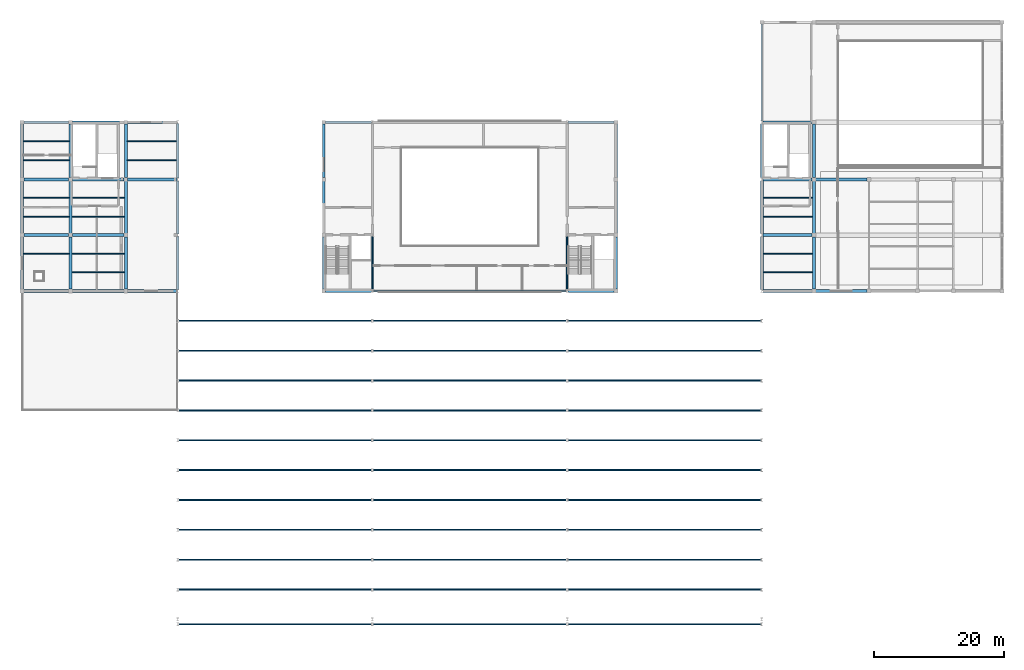
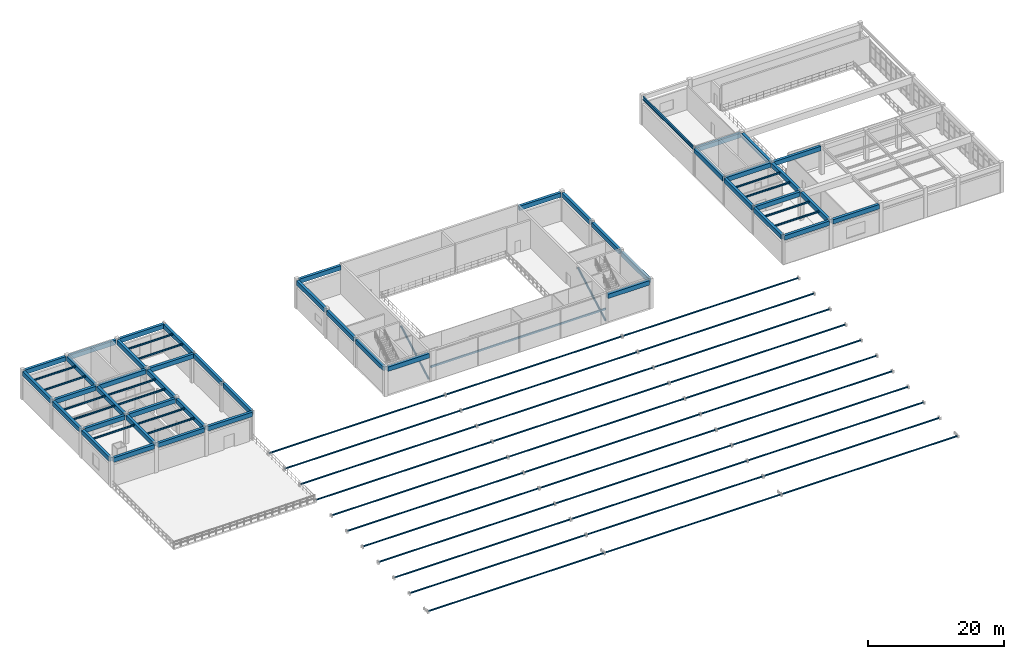
# One storey, part 10 of 38: 61 beams, 36 members.
"""IFC4 building model written with IfcOpenShell, lengths in metres."""

from ifc_helpers import new_model, si_unit, direction, frame, origin, origin_2d, place, context, subcontext, project, spatial, rectangle, hollow_rectangle, hollow_circle, i_section, extrude, material, material_profile, profile_set, type_object, element, save


model = new_model("IFC4")

# Units and contexts
model_context = context("Model", 3, precision=1e-05, world=origin(), true_north=direction((0.0, 1.0)))
body_context = subcontext(model_context, "Body", "Model", "MODEL_VIEW")
ifc_project = project(units=[si_unit("LENGTHUNIT", "METRE"), si_unit("AREAUNIT", "SQUARE_METRE"), si_unit("VOLUMEUNIT", "CUBIC_METRE"), si_unit("PLANEANGLEUNIT", "RADIAN"), si_unit("MASSUNIT", "GRAM", prefix="KILO")], contexts=[model_context])

# Site, building, storey
site_placement = place(None, origin())
site = spatial("IfcSite", under=ifc_project, at=site_placement, CompositionType="ELEMENT")
building_placement = place(site_placement, origin())
building = spatial("IfcBuilding", under=site, at=building_placement, Name="Muzn Square Opera House", CompositionType="ELEMENT")
storey_placement = place(building_placement, frame((0.0, 0.0, 18.0)))
storey = spatial("IfcBuildingStorey", under=building, at=storey_placement, Name="L04", CompositionType="ELEMENT", Elevation=18.0)

# Members
ifc_material_1 = material(Name="Steel S355", Category="steel")
ifc_material_profile_1 = material_profile(ifc_material_1, hollow_circle(Radius=0.161865234375, WallThickness=0.01611328125, at=origin_2d()), Name="CHS 323.9x16", Category="steel")
ifc_profile_set_1 = profile_set([ifc_material_profile_1], Name="Steel S355")
member_type_1 = type_object("IfcMemberType", Name="Fly Tower Strut CHS324", PredefinedType="STRUT", material=ifc_profile_set_1)
for number, where, z_axis, x_axis, name in (
    (1, (73.0, 72.820068359375, 0.199951171875), (0.0, 0.871112274482, 0.49108390856), (-1.0, 0.0, 0.0), "Lateral Frame Brace SBRC-01"),
    (2, (103.0, 72.820068359375, 0.199951171875), (0.0, 0.871112274482, 0.49108390856), (-1.0, 0.0, 0.0), "Lateral Frame Brace SBRC-02"),
):
    element("IfcMember", number, at=place(storey_placement, frame(where, z_axis=z_axis, x_axis=x_axis)), inside=storey, type_object=member_type_1, Name=name, PredefinedType="STRUT", context=body_context, shape_type="SweptSolid", body=[
        extrude(hollow_circle(Radius=0.161865234375, WallThickness=0.01611328125, at=origin_2d()), origin(), (0.0, 0.0, 1.0), 9.3671875),
    ])
ifc_material_profile_2 = material_profile(ifc_material_1, hollow_rectangle(XDim=0.199951171875, YDim=0.300048828125, WallThickness=0.012451171875, at=origin_2d()), Name="RHS 300x200x12.5", Category="steel")
ifc_profile_set_2 = profile_set([ifc_material_profile_2], Name="Steel S355")
member_type_2 = type_object("IfcMemberType", Name="Hollow Truss Chord RHS300x200", PredefinedType="CHORD", material=ifc_profile_set_2)
member_placement = place(storey_placement, frame((73.139892578125, 72.60009765625, 2.5), z_axis=(1.0, 0.0, 0.0), x_axis=(0.0, 1.0, 0.0)))
element("IfcMember", 3, at=member_placement, inside=storey, type_object=member_type_2, Name="Proscenium Acoustic Frame Chord PRCH-02", PredefinedType="CHORD", context=body_context, shape_type="SweptSolid", body=[
    extrude(hollow_rectangle(XDim=0.199951171875, YDim=0.300048828125, WallThickness=0.012451171875, at=origin_2d()), origin(), (0.0, 0.0, 1.0), 29.72021484375),
])

# Beams
ifc_material_2 = material(Name="Concrete C40/50", Category="concrete")
ifc_material_profile_3 = material_profile(ifc_material_2, rectangle(XDim=0.449951171875, YDim=0.800048828125, at=origin_2d()), Name="RCB 450x800", Category="concrete")
ifc_profile_set_3 = profile_set([ifc_material_profile_3], Name="Concrete C40/50")
beam_type_1 = type_object("IfcBeamType", Name="Primary Girder 450x800", PredefinedType="BEAM", material=ifc_profile_set_3)
beam_1_placement = place(storey_placement, frame((19.2919921875, 72.60009765625, 4.719970703125), z_axis=(1.0, 0.0, 0.0), x_axis=(0.0, 1.0, 0.0)))
element("IfcBeam", 4, at=beam_1_placement, inside=storey, type_object=beam_type_1, Name="Primary Girder BM-L04-BM-PG800-193_726_262_726-2664", PredefinedType="BEAM", context=body_context, shape_type="SweptSolid", body=[
    extrude(rectangle(XDim=0.449951171875, YDim=0.800048828125, at=origin_2d()), origin(), (0.0, 0.0, 1.0), 6.916015625),
])
beam_2_placement = place(storey_placement, frame((26.7919921875, 72.60009765625, 4.719970703125), z_axis=(1.0, 0.0, 0.0), x_axis=(0.0, 1.0, 0.0)))
element("IfcBeam", 5, at=beam_2_placement, inside=storey, type_object=beam_type_1, Name="Primary Girder BM-L04-BM-PG800-268_726_347_726-2665", PredefinedType="BEAM", context=body_context, shape_type="SweptSolid", body=[
    extrude(rectangle(XDim=0.449951171875, YDim=0.800048828125, at=origin_2d()), origin(), (0.0, 0.0, 1.0), 7.916015625),
])
beam_3_placement = place(storey_placement, frame((35.2919921875, 72.60009765625, 4.719970703125), z_axis=(1.0, 0.0, 0.0), x_axis=(0.0, 1.0, 0.0)))
element("IfcBeam", 6, at=beam_3_placement, inside=storey, type_object=beam_type_1, Name="Primary Girder BM-L04-BM-PG800-353_726_429_726-2666", PredefinedType="BEAM", context=body_context, shape_type="SweptSolid", body=[
    extrude(rectangle(XDim=0.449951171875, YDim=0.800048828125, at=origin_2d()), origin(), (0.0, 0.0, 1.0), 7.56591796875),
])
for number, where, z_axis, x_axis, name in (
    (7, (65.7919921875, 72.60009765625, 4.719970703125), (1.0, 0.0, 0.0), (0.0, 1.0, 0.0), "Primary Girder BM-L04-BM-PG800-658_726_729_726-2667"),
    (8, (103.14208984375, 72.60009765625, 4.719970703125), (1.0, 0.0, 0.0), (0.0, 1.0, 0.0), "Primary Girder BM-L04-BM-PG800-1031_726_1102_726-2668"),
):
    element("IfcBeam", number, at=place(storey_placement, frame(where, z_axis=z_axis, x_axis=x_axis)), inside=storey, type_object=beam_type_1, Name=name, PredefinedType="BEAM", context=body_context, shape_type="SweptSolid", body=[
        extrude(rectangle(XDim=0.449951171875, YDim=0.800048828125, at=origin_2d()), origin(), (0.0, 0.0, 1.0), 7.06591796875),
    ])
beam_4_placement = place(storey_placement, frame((133.14208984375, 72.60009765625, 4.719970703125), z_axis=(1.0, 0.0, 0.0), x_axis=(0.0, 1.0, 0.0)))
element("IfcBeam", 9, at=beam_4_placement, inside=storey, type_object=beam_type_1, Name="Primary Girder BM-L04-BM-PG800-1331_726_1407_726-2669", PredefinedType="BEAM", context=body_context, shape_type="SweptSolid", body=[
    extrude(rectangle(XDim=0.449951171875, YDim=0.800048828125, at=origin_2d()), origin(), (0.0, 0.0, 1.0), 7.56591796875),
])
beam_5_placement = place(storey_placement, frame((141.2919921875, 72.60009765625, 4.719970703125), z_axis=(1.0, 0.0, 0.0), x_axis=(0.0, 1.0, 0.0)))
element("IfcBeam", 10, at=beam_5_placement, inside=storey, type_object=beam_type_1, Name="Primary Girder BM-L04-BM-PG800-1413_726_1492_726-2670", PredefinedType="BEAM", context=body_context, shape_type="SweptSolid", body=[
    extrude(rectangle(XDim=0.449951171875, YDim=0.800048828125, at=origin_2d()), origin(), (0.0, 0.0, 1.0), 7.916015625),
])
beam_6_placement = place(storey_placement, frame((19.2919921875, 81.199951171875, 4.75), z_axis=(1.0, 0.0, 0.0), x_axis=(0.0, 1.0, 0.0)))
element("IfcBeam", 11, at=beam_6_placement, inside=storey, type_object=beam_type_1, Name="Primary Girder BM-L04-BM-PG800-193_812_262_812-2674", PredefinedType="BEAM", context=body_context, shape_type="SweptSolid", body=[
    extrude(rectangle(XDim=0.449951171875, YDim=0.800048828125, at=origin_2d()), origin(), (0.0, 0.0, 1.0), 6.916015625),
])
beam_7_placement = place(storey_placement, frame((26.7919921875, 81.199951171875, 4.75), z_axis=(1.0, 0.0, 0.0), x_axis=(0.0, 1.0, 0.0)))
element("IfcBeam", 12, at=beam_7_placement, inside=storey, type_object=beam_type_1, Name="Primary Girder BM-L04-BM-PG800-268_812_347_812-2675", PredefinedType="BEAM", context=body_context, shape_type="SweptSolid", body=[
    extrude(rectangle(XDim=0.449951171875, YDim=0.800048828125, at=origin_2d()), origin(), (0.0, 0.0, 1.0), 7.916015625),
])
beam_8_placement = place(storey_placement, frame((133.14208984375, 81.199951171875, 4.719970703125), z_axis=(1.0, 0.0, 0.0), x_axis=(0.0, 1.0, 0.0)))
element("IfcBeam", 13, at=beam_8_placement, inside=storey, type_object=beam_type_1, Name="Primary Girder BM-L04-BM-PG800-1331_812_1407_812-2677", PredefinedType="BEAM", context=body_context, shape_type="SweptSolid", body=[
    extrude(rectangle(XDim=0.449951171875, YDim=0.800048828125, at=origin_2d()), origin(), (0.0, 0.0, 1.0), 7.56591796875),
])
beam_9_placement = place(storey_placement, frame((19.2919921875, 89.800048828125, 4.75), z_axis=(1.0, 0.0, 0.0), x_axis=(0.0, 1.0, 0.0)))
element("IfcBeam", 14, at=beam_9_placement, inside=storey, type_object=beam_type_1, Name="Primary Girder BM-L04-BM-PG800-193_898_262_898-2679", PredefinedType="BEAM", context=body_context, shape_type="SweptSolid", body=[
    extrude(rectangle(XDim=0.449951171875, YDim=0.800048828125, at=origin_2d()), origin(), (0.0, 0.0, 1.0), 6.916015625),
])
beam_10_placement = place(storey_placement, frame((26.7919921875, 89.800048828125, 4.75), z_axis=(1.0, 0.0, 0.0), x_axis=(0.0, 1.0, 0.0)))
element("IfcBeam", 15, at=beam_10_placement, inside=storey, type_object=beam_type_1, Name="Primary Girder BM-L04-BM-PG800-268_898_347_898-2680", PredefinedType="BEAM", context=body_context, shape_type="SweptSolid", body=[
    extrude(rectangle(XDim=0.449951171875, YDim=0.800048828125, at=origin_2d()), origin(), (0.0, 0.0, 1.0), 7.916015625),
])
for number, where, z_axis, x_axis, name in (
    (16, (35.2919921875, 89.800048828125, 4.75), (1.0, 0.0, 0.0), (0.0, 1.0, 0.0), "Primary Girder BM-L04-BM-PG800-353_898_429_898-2681"),
    (17, (133.14208984375, 89.800048828125, 4.719970703125), (1.0, 0.0, 0.0), (0.0, 1.0, 0.0), "Primary Girder BM-L04-BM-PG800-1331_898_1407_898-2682"),
):
    element("IfcBeam", number, at=place(storey_placement, frame(where, z_axis=z_axis, x_axis=x_axis)), inside=storey, type_object=beam_type_1, Name=name, PredefinedType="BEAM", context=body_context, shape_type="SweptSolid", body=[
        extrude(rectangle(XDim=0.449951171875, YDim=0.800048828125, at=origin_2d()), origin(), (0.0, 0.0, 1.0), 7.56591796875),
    ])
beam_11_placement = place(storey_placement, frame((141.2919921875, 89.800048828125, 4.719970703125), z_axis=(1.0, 0.0, 0.0), x_axis=(0.0, 1.0, 0.0)))
element("IfcBeam", 18, at=beam_11_placement, inside=storey, type_object=beam_type_1, Name="Primary Girder BM-L04-BM-PG800-1413_898_1492_898-2683", PredefinedType="BEAM", context=body_context, shape_type="SweptSolid", body=[
    extrude(rectangle(XDim=0.449951171875, YDim=0.800048828125, at=origin_2d()), origin(), (0.0, 0.0, 1.0), 7.916015625),
])
beam_12_placement = place(storey_placement, frame((19.2919921875, 98.60009765625, 4.719970703125), z_axis=(1.0, 0.0, 0.0), x_axis=(0.0, 1.0, 0.0)))
element("IfcBeam", 19, at=beam_12_placement, inside=storey, type_object=beam_type_1, Name="Primary Girder BM-L04-BM-PG800-193_986_262_986-2687", PredefinedType="BEAM", context=body_context, shape_type="SweptSolid", body=[
    extrude(rectangle(XDim=0.449951171875, YDim=0.800048828125, at=origin_2d()), origin(), (0.0, 0.0, 1.0), 6.916015625),
])
beam_13_placement = place(storey_placement, frame((26.7919921875, 98.60009765625, 4.719970703125), z_axis=(1.0, 0.0, 0.0), x_axis=(0.0, 1.0, 0.0)))
element("IfcBeam", 20, at=beam_13_placement, inside=storey, type_object=beam_type_1, Name="Primary Girder BM-L04-BM-PG800-268_986_347_986-2688", PredefinedType="BEAM", context=body_context, shape_type="SweptSolid", body=[
    extrude(rectangle(XDim=0.449951171875, YDim=0.800048828125, at=origin_2d()), origin(), (0.0, 0.0, 1.0), 7.916015625),
])
beam_14_placement = place(storey_placement, frame((35.2919921875, 98.60009765625, 4.719970703125), z_axis=(1.0, 0.0, 0.0), x_axis=(0.0, 1.0, 0.0)))
element("IfcBeam", 21, at=beam_14_placement, inside=storey, type_object=beam_type_1, Name="Primary Girder BM-L04-BM-PG800-353_986_429_986-2689", PredefinedType="BEAM", context=body_context, shape_type="SweptSolid", body=[
    extrude(rectangle(XDim=0.449951171875, YDim=0.800048828125, at=origin_2d()), origin(), (0.0, 0.0, 1.0), 7.56591796875),
])
for number, where, z_axis, x_axis, name in (
    (22, (65.7919921875, 98.60009765625, 4.719970703125), (1.0, 0.0, 0.0), (0.0, 1.0, 0.0), "Primary Girder BM-L04-BM-PG800-658_986_729_986-2690"),
    (23, (103.14208984375, 98.60009765625, 4.719970703125), (1.0, 0.0, 0.0), (0.0, 1.0, 0.0), "Primary Girder BM-L04-BM-PG800-1031_986_1102_986-2691"),
):
    element("IfcBeam", number, at=place(storey_placement, frame(where, z_axis=z_axis, x_axis=x_axis)), inside=storey, type_object=beam_type_1, Name=name, PredefinedType="BEAM", context=body_context, shape_type="SweptSolid", body=[
        extrude(rectangle(XDim=0.449951171875, YDim=0.800048828125, at=origin_2d()), origin(), (0.0, 0.0, 1.0), 7.06591796875),
    ])
beam_15_placement = place(storey_placement, frame((133.14208984375, 98.60009765625, 4.719970703125), z_axis=(1.0, 0.0, 0.0), x_axis=(0.0, 1.0, 0.0)))
element("IfcBeam", 24, at=beam_15_placement, inside=storey, type_object=beam_type_1, Name="Primary Girder BM-L04-BM-PG800-1331_986_1407_986-2692", PredefinedType="BEAM", context=body_context, shape_type="SweptSolid", body=[
    extrude(rectangle(XDim=0.449951171875, YDim=0.800048828125, at=origin_2d()), origin(), (0.0, 0.0, 1.0), 7.56591796875),
])
beam_16_placement = place(storey_placement, frame((19.0, 72.89208984375, 4.719970703125), z_axis=(0.0, 1.0, 0.0), x_axis=(-1.0, 0.0, 0.0)))
element("IfcBeam", 25, at=beam_16_placement, inside=storey, type_object=beam_type_1, Name="Primary Girder BM-L04-BM-PG800-190_729_190_809-2694", PredefinedType="BEAM", context=body_context, shape_type="SweptSolid", body=[
    extrude(rectangle(XDim=0.449951171875, YDim=0.800048828125, at=origin_2d()), origin(), (0.0, 0.0, 1.0), 8.015869140625),
])
beam_17_placement = place(storey_placement, frame((19.0, 81.491943359375, 4.719970703125), z_axis=(0.0, 1.0, 0.0), x_axis=(-1.0, 0.0, 0.0)))
element("IfcBeam", 26, at=beam_17_placement, inside=storey, type_object=beam_type_1, Name="Primary Girder BM-L04-BM-PG800-190_815_190_895-2695", PredefinedType="BEAM", context=body_context, shape_type="SweptSolid", body=[
    extrude(rectangle(XDim=0.449951171875, YDim=0.800048828125, at=origin_2d()), origin(), (0.0, 0.0, 1.0), 8.01611328125),
])
beam_18_placement = place(storey_placement, frame((19.0, 90.092041015625, 4.719970703125), z_axis=(0.0, 1.0, 0.0), x_axis=(-1.0, 0.0, 0.0)))
element("IfcBeam", 27, at=beam_18_placement, inside=storey, type_object=beam_type_1, Name="Primary Girder BM-L04-BM-PG800-190_901_190_983-2696", PredefinedType="BEAM", context=body_context, shape_type="SweptSolid", body=[
    extrude(rectangle(XDim=0.449951171875, YDim=0.800048828125, at=origin_2d()), origin(), (0.0, 0.0, 1.0), 8.216064453125),
])
beam_19_placement = place(storey_placement, frame((26.5, 72.89208984375, 4.75), z_axis=(0.0, 1.0, 0.0), x_axis=(-1.0, 0.0, 0.0)))
element("IfcBeam", 28, at=beam_19_placement, inside=storey, type_object=beam_type_1, Name="Primary Girder BM-L04-BM-PG800-265_729_265_809-2697", PredefinedType="BEAM", context=body_context, shape_type="SweptSolid", body=[
    extrude(rectangle(XDim=0.449951171875, YDim=0.800048828125, at=origin_2d()), origin(), (0.0, 0.0, 1.0), 8.015869140625),
])
beam_20_placement = place(storey_placement, frame((26.5, 81.491943359375, 4.75), z_axis=(0.0, 1.0, 0.0), x_axis=(-1.0, 0.0, 0.0)))
element("IfcBeam", 29, at=beam_20_placement, inside=storey, type_object=beam_type_1, Name="Primary Girder BM-L04-BM-PG800-265_815_265_895-2698", PredefinedType="BEAM", context=body_context, shape_type="SweptSolid", body=[
    extrude(rectangle(XDim=0.449951171875, YDim=0.800048828125, at=origin_2d()), origin(), (0.0, 0.0, 1.0), 8.01611328125),
])
beam_21_placement = place(storey_placement, frame((26.5, 90.092041015625, 4.75), z_axis=(0.0, 1.0, 0.0), x_axis=(-1.0, 0.0, 0.0)))
element("IfcBeam", 30, at=beam_21_placement, inside=storey, type_object=beam_type_1, Name="Primary Girder BM-L04-BM-PG800-265_901_265_983-2699", PredefinedType="BEAM", context=body_context, shape_type="SweptSolid", body=[
    extrude(rectangle(XDim=0.449951171875, YDim=0.800048828125, at=origin_2d()), origin(), (0.0, 0.0, 1.0), 8.216064453125),
])
beam_22_placement = place(storey_placement, frame((35.0, 72.89208984375, 4.75), z_axis=(0.0, 1.0, 0.0), x_axis=(-1.0, 0.0, 0.0)))
element("IfcBeam", 31, at=beam_22_placement, inside=storey, type_object=beam_type_1, Name="Primary Girder BM-L04-BM-PG800-350_729_350_809-2700", PredefinedType="BEAM", context=body_context, shape_type="SweptSolid", body=[
    extrude(rectangle(XDim=0.449951171875, YDim=0.800048828125, at=origin_2d()), origin(), (0.0, 0.0, 1.0), 8.015869140625),
])
beam_23_placement = place(storey_placement, frame((35.0, 81.491943359375, 4.75), z_axis=(0.0, 1.0, 0.0), x_axis=(-1.0, 0.0, 0.0)))
element("IfcBeam", 32, at=beam_23_placement, inside=storey, type_object=beam_type_1, Name="Primary Girder BM-L04-BM-PG800-350_815_350_895-2701", PredefinedType="BEAM", context=body_context, shape_type="SweptSolid", body=[
    extrude(rectangle(XDim=0.449951171875, YDim=0.800048828125, at=origin_2d()), origin(), (0.0, 0.0, 1.0), 8.01611328125),
])
beam_24_placement = place(storey_placement, frame((35.0, 90.092041015625, 4.75), z_axis=(0.0, 1.0, 0.0), x_axis=(-1.0, 0.0, 0.0)))
element("IfcBeam", 33, at=beam_24_placement, inside=storey, type_object=beam_type_1, Name="Primary Girder BM-L04-BM-PG800-350_901_350_983-2702", PredefinedType="BEAM", context=body_context, shape_type="SweptSolid", body=[
    extrude(rectangle(XDim=0.449951171875, YDim=0.800048828125, at=origin_2d()), origin(), (0.0, 0.0, 1.0), 8.216064453125),
])
for number, where, z_axis, x_axis, name in (
    (34, (43.0, 72.81689453125, 4.719970703125), (0.0, 1.0, 0.0), (-1.0, 0.0, 0.0), "Primary Girder BM-L04-BM-PG800-430_728_430_810-2703"),
    (35, (43.0, 81.4169921875, 4.719970703125), (0.0, 1.0, 0.0), (-1.0, 0.0, 0.0), "Primary Girder BM-L04-BM-PG800-430_814_430_896-2704"),
):
    element("IfcBeam", number, at=place(storey_placement, frame(where, z_axis=z_axis, x_axis=x_axis)), inside=storey, type_object=beam_type_1, Name=name, PredefinedType="BEAM", context=body_context, shape_type="SweptSolid", body=[
        extrude(rectangle(XDim=0.449951171875, YDim=0.800048828125, at=origin_2d()), origin(), (0.0, 0.0, 1.0), 8.166015625),
    ])
beam_25_placement = place(storey_placement, frame((43.0, 90.01708984375, 4.719970703125), z_axis=(0.0, 1.0, 0.0), x_axis=(-1.0, 0.0, 0.0)))
element("IfcBeam", 36, at=beam_25_placement, inside=storey, type_object=beam_type_1, Name="Primary Girder BM-L04-BM-PG800-430_900_430_984-2705", PredefinedType="BEAM", context=body_context, shape_type="SweptSolid", body=[
    extrude(rectangle(XDim=0.449951171875, YDim=0.800048828125, at=origin_2d()), origin(), (0.0, 0.0, 1.0), 8.365966796875),
])
beam_26_placement = place(storey_placement, frame((65.5, 72.89208984375, 4.719970703125), z_axis=(0.0, 1.0, 0.0), x_axis=(-1.0, 0.0, 0.0)))
element("IfcBeam", 37, at=beam_26_placement, inside=storey, type_object=beam_type_1, Name="Primary Girder BM-L04-BM-PG800-655_729_655_809-2706", PredefinedType="BEAM", context=body_context, shape_type="SweptSolid", body=[
    extrude(rectangle(XDim=0.449951171875, YDim=0.800048828125, at=origin_2d()), origin(), (0.0, 0.0, 1.0), 8.015869140625),
])
beam_27_placement = place(storey_placement, frame((65.5, 81.491943359375, 4.719970703125), z_axis=(0.0, 1.0, 0.0), x_axis=(-1.0, 0.0, 0.0)))
element("IfcBeam", 38, at=beam_27_placement, inside=storey, type_object=beam_type_1, Name="Primary Girder BM-L04-BM-PG800-655_815_655_895-2707", PredefinedType="BEAM", context=body_context, shape_type="SweptSolid", body=[
    extrude(rectangle(XDim=0.449951171875, YDim=0.800048828125, at=origin_2d()), origin(), (0.0, 0.0, 1.0), 8.01611328125),
])
beam_28_placement = place(storey_placement, frame((65.5, 90.092041015625, 4.719970703125), z_axis=(0.0, 1.0, 0.0), x_axis=(-1.0, 0.0, 0.0)))
element("IfcBeam", 39, at=beam_28_placement, inside=storey, type_object=beam_type_1, Name="Primary Girder BM-L04-BM-PG800-655_901_655_983-2708", PredefinedType="BEAM", context=body_context, shape_type="SweptSolid", body=[
    extrude(rectangle(XDim=0.449951171875, YDim=0.800048828125, at=origin_2d()), origin(), (0.0, 0.0, 1.0), 8.216064453125),
])
beam_29_placement = place(storey_placement, frame((110.5, 72.89208984375, 4.719970703125), z_axis=(0.0, 1.0, 0.0), x_axis=(-1.0, 0.0, 0.0)))
element("IfcBeam", 40, at=beam_29_placement, inside=storey, type_object=beam_type_1, Name="Primary Girder BM-L04-BM-PG800-1105_729_1105_809-2709", PredefinedType="BEAM", context=body_context, shape_type="SweptSolid", body=[
    extrude(rectangle(XDim=0.449951171875, YDim=0.800048828125, at=origin_2d()), origin(), (0.0, 0.0, 1.0), 8.015869140625),
])
beam_30_placement = place(storey_placement, frame((110.5, 81.491943359375, 4.719970703125), z_axis=(0.0, 1.0, 0.0), x_axis=(-1.0, 0.0, 0.0)))
element("IfcBeam", 41, at=beam_30_placement, inside=storey, type_object=beam_type_1, Name="Primary Girder BM-L04-BM-PG800-1105_815_1105_895-2710", PredefinedType="BEAM", context=body_context, shape_type="SweptSolid", body=[
    extrude(rectangle(XDim=0.449951171875, YDim=0.800048828125, at=origin_2d()), origin(), (0.0, 0.0, 1.0), 8.01611328125),
])
beam_31_placement = place(storey_placement, frame((110.5, 90.092041015625, 4.719970703125), z_axis=(0.0, 1.0, 0.0), x_axis=(-1.0, 0.0, 0.0)))
element("IfcBeam", 42, at=beam_31_placement, inside=storey, type_object=beam_type_1, Name="Primary Girder BM-L04-BM-PG800-1105_901_1105_983-2711", PredefinedType="BEAM", context=body_context, shape_type="SweptSolid", body=[
    extrude(rectangle(XDim=0.449951171875, YDim=0.800048828125, at=origin_2d()), origin(), (0.0, 0.0, 1.0), 8.216064453125),
])
for number, where, z_axis, x_axis, name in (
    (43, (133.0, 72.81689453125, 4.719970703125), (0.0, 1.0, 0.0), (-1.0, 0.0, 0.0), "Primary Girder BM-L04-BM-PG800-1330_728_1330_810-2712"),
    (44, (133.0, 81.4169921875, 4.719970703125), (0.0, 1.0, 0.0), (-1.0, 0.0, 0.0), "Primary Girder BM-L04-BM-PG800-1330_814_1330_896-2713"),
):
    element("IfcBeam", number, at=place(storey_placement, frame(where, z_axis=z_axis, x_axis=x_axis)), inside=storey, type_object=beam_type_1, Name=name, PredefinedType="BEAM", context=body_context, shape_type="SweptSolid", body=[
        extrude(rectangle(XDim=0.449951171875, YDim=0.800048828125, at=origin_2d()), origin(), (0.0, 0.0, 1.0), 8.166015625),
    ])
beam_32_placement = place(storey_placement, frame((133.0, 90.01708984375, 4.719970703125), z_axis=(0.0, 1.0, 0.0), x_axis=(-1.0, 0.0, 0.0)))
element("IfcBeam", 45, at=beam_32_placement, inside=storey, type_object=beam_type_1, Name="Primary Girder BM-L04-BM-PG800-1330_900_1330_984-2714", PredefinedType="BEAM", context=body_context, shape_type="SweptSolid", body=[
    extrude(rectangle(XDim=0.449951171875, YDim=0.800048828125, at=origin_2d()), origin(), (0.0, 0.0, 1.0), 8.365966796875),
])
beam_33_placement = place(storey_placement, frame((141.0, 72.89208984375, 4.719970703125), z_axis=(0.0, 1.0, 0.0), x_axis=(-1.0, 0.0, 0.0)))
element("IfcBeam", 46, at=beam_33_placement, inside=storey, type_object=beam_type_1, Name="Primary Girder BM-L04-BM-PG800-1410_729_1410_809-2715", PredefinedType="BEAM", context=body_context, shape_type="SweptSolid", body=[
    extrude(rectangle(XDim=0.449951171875, YDim=0.800048828125, at=origin_2d()), origin(), (0.0, 0.0, 1.0), 8.015869140625),
])
beam_34_placement = place(storey_placement, frame((141.0, 81.491943359375, 4.719970703125), z_axis=(0.0, 1.0, 0.0), x_axis=(-1.0, 0.0, 0.0)))
element("IfcBeam", 47, at=beam_34_placement, inside=storey, type_object=beam_type_1, Name="Primary Girder BM-L04-BM-PG800-1410_815_1410_895-2716", PredefinedType="BEAM", context=body_context, shape_type="SweptSolid", body=[
    extrude(rectangle(XDim=0.449951171875, YDim=0.800048828125, at=origin_2d()), origin(), (0.0, 0.0, 1.0), 8.01611328125),
])
beam_35_placement = place(storey_placement, frame((141.0, 90.092041015625, 4.719970703125), z_axis=(0.0, 1.0, 0.0), x_axis=(-1.0, 0.0, 0.0)))
element("IfcBeam", 48, at=beam_35_placement, inside=storey, type_object=beam_type_1, Name="Primary Girder BM-L04-BM-PG800-1410_901_1410_983-2717", PredefinedType="BEAM", context=body_context, shape_type="SweptSolid", body=[
    extrude(rectangle(XDim=0.449951171875, YDim=0.800048828125, at=origin_2d()), origin(), (0.0, 0.0, 1.0), 8.216064453125),
])
ifc_material_profile_4 = material_profile(ifc_material_1, i_section(OverallWidth=0.14990234375, OverallDepth=0.300048828125, WebThickness=0.007080078125, FlangeThickness=0.0107421875, FilletRadius=0.014892578125, at=origin_2d()), Name="IPE 300", Category="steel")
ifc_profile_set_4 = profile_set([ifc_material_profile_4], Name="Steel S355")
beam_type_2 = type_object("IfcBeamType", Name="Secondary Steel Joist IPE300", PredefinedType="JOIST", material=ifc_profile_set_4)
for number, where, z_axis, x_axis, name in (
    (49, (19.217041015625, 78.333251953125, 5.0), (1.0, 0.0, 0.0), (0.0, 1.0, 0.0), "Floor Joist BM-L04-BM-SJ300-192_783_263_783-2725"),
    (50, (19.217041015625, 84.066650390625, 5.0), (1.0, 0.0, 0.0), (0.0, 1.0, 0.0), "Floor Joist BM-L04-BM-SJ300-192_841_263_841-2726"),
    (51, (19.217041015625, 86.933349609375, 5.0), (1.0, 0.0, 0.0), (0.0, 1.0, 0.0), "Floor Joist BM-L04-BM-SJ300-192_869_263_869-2727"),
    (52, (19.217041015625, 92.7333984375, 5.0), (1.0, 0.0, 0.0), (0.0, 1.0, 0.0), "Floor Joist BM-L04-BM-SJ300-192_927_263_927-2728"),
    (53, (19.217041015625, 95.666748046875, 5.0), (1.0, 0.0, 0.0), (0.0, 1.0, 0.0), "Floor Joist BM-L04-BM-SJ300-192_957_263_957-2729"),
):
    element("IfcBeam", number, at=place(storey_placement, frame(where, z_axis=z_axis, x_axis=x_axis)), inside=storey, type_object=beam_type_2, Name=name, PredefinedType="JOIST", context=body_context, shape_type="SweptSolid", body=[
        extrude(i_section(OverallWidth=0.14990234375, OverallDepth=0.300048828125, WebThickness=0.007080078125, FlangeThickness=0.0107421875, FilletRadius=0.014892578125, at=origin_2d()), origin(), (0.0, 0.0, 1.0), 7.06591796875),
    ])
for number, where, z_axis, x_axis, name in (
    (54, (26.717041015625, 75.466796875, 5.0), (1.0, 0.0, 0.0), (0.0, 1.0, 0.0), "Floor Joist BM-L04-BM-SJ300-267_755_348_755-2730"),
    (55, (26.717041015625, 78.333251953125, 5.0), (1.0, 0.0, 0.0), (0.0, 1.0, 0.0), "Floor Joist BM-L04-BM-SJ300-267_783_348_783-2731"),
    (56, (26.717041015625, 84.066650390625, 5.0), (1.0, 0.0, 0.0), (0.0, 1.0, 0.0), "Floor Joist BM-L04-BM-SJ300-267_841_348_841-2732"),
    (57, (26.717041015625, 86.933349609375, 5.0), (1.0, 0.0, 0.0), (0.0, 1.0, 0.0), "Floor Joist BM-L04-BM-SJ300-267_869_348_869-2733"),
):
    element("IfcBeam", number, at=place(storey_placement, frame(where, z_axis=z_axis, x_axis=x_axis)), inside=storey, type_object=beam_type_2, Name=name, PredefinedType="JOIST", context=body_context, shape_type="SweptSolid", body=[
        extrude(i_section(OverallWidth=0.14990234375, OverallDepth=0.300048828125, WebThickness=0.007080078125, FlangeThickness=0.0107421875, FilletRadius=0.014892578125, at=origin_2d()), origin(), (0.0, 0.0, 1.0), 8.06591796875),
    ])
for number, where, z_axis, x_axis, name in (
    (58, (35.217041015625, 92.7333984375, 5.0), (1.0, 0.0, 0.0), (0.0, 1.0, 0.0), "Floor Joist BM-L04-BM-SJ300-352_927_428_927-2734"),
    (59, (35.217041015625, 95.666748046875, 5.0), (1.0, 0.0, 0.0), (0.0, 1.0, 0.0), "Floor Joist BM-L04-BM-SJ300-352_957_428_957-2735"),
    (60, (133.217041015625, 75.466796875, 4.969970703125), (1.0, 0.0, 0.0), (0.0, 1.0, 0.0), "Floor Joist BM-L04-BM-SJ300-1332_755_1408_755-2736"),
    (61, (133.217041015625, 78.333251953125, 4.969970703125), (1.0, 0.0, 0.0), (0.0, 1.0, 0.0), "Floor Joist BM-L04-BM-SJ300-1332_783_1408_783-2737"),
    (62, (133.217041015625, 84.066650390625, 4.969970703125), (1.0, 0.0, 0.0), (0.0, 1.0, 0.0), "Floor Joist BM-L04-BM-SJ300-1332_841_1408_841-2738"),
    (63, (133.217041015625, 86.933349609375, 4.969970703125), (1.0, 0.0, 0.0), (0.0, 1.0, 0.0), "Floor Joist BM-L04-BM-SJ300-1332_869_1408_869-2739"),
):
    element("IfcBeam", number, at=place(storey_placement, frame(where, z_axis=z_axis, x_axis=x_axis)), inside=storey, type_object=beam_type_2, Name=name, PredefinedType="JOIST", context=body_context, shape_type="SweptSolid", body=[
        extrude(i_section(OverallWidth=0.14990234375, OverallDepth=0.300048828125, WebThickness=0.007080078125, FlangeThickness=0.0107421875, FilletRadius=0.014892578125, at=origin_2d()), origin(), (0.0, 0.0, 1.0), 7.56591796875),
    ])
ifc_material_profile_5 = material_profile(ifc_material_1, i_section(OverallWidth=0.219970703125, OverallDepth=0.60009765625, WebThickness=0.011962890625, FlangeThickness=0.01904296875, FilletRadius=0.02392578125, at=origin_2d()), Name="IPE 600", Category="steel")
ifc_profile_set_5 = profile_set([ifc_material_profile_5], Name="Steel S355")
beam_type_3 = type_object("IfcBeamType", Name="Stage Gallery Beam IPE600", PredefinedType="BEAM", material=ifc_profile_set_5)
beam_36_placement = place(storey_placement, frame((133.0, 98.81689453125, 4.85009765625), z_axis=(0.0, 1.0, 0.0), x_axis=(-1.0, 0.0, 0.0)))
element("IfcBeam", 64, at=beam_36_placement, inside=storey, type_object=beam_type_3, Name="Primary Girder BM-N114-L04-027", PredefinedType="BEAM", context=body_context, shape_type="SweptSolid", body=[
    extrude(i_section(OverallWidth=0.219970703125, OverallDepth=0.60009765625, WebThickness=0.011962890625, FlangeThickness=0.01904296875, FilletRadius=0.02392578125, at=origin_2d()), origin(), (0.0, 0.0, 1.0), 14.89111328125),
])

# Members
ifc_material_profile_6 = material_profile(ifc_material_1, hollow_circle(Radius=0.136474609375, WallThickness=0.01611328125, at=origin_2d()), Name="CHS 273x16", Category="steel")
ifc_profile_set_6 = profile_set([ifc_material_profile_6], Name="Steel S355")
member_type_3 = type_object("IfcMemberType", Name="Vault Springing Tie Strut CHS273", PredefinedType="STRUT", material=ifc_profile_set_6)
for number, where, z_axis, x_axis, name in (
    (65, (43.139892578125, 21.25, 0.300048828125), (1.0, 0.0, 0.0), (0.0, 1.0, 0.0), "Barrel Vault Springing Tie Strut V1-00"),
    (66, (43.139892578125, 26.60009765625, 0.300048828125), (1.0, 0.0, 0.0), (0.0, 1.0, 0.0), "Barrel Vault Springing Tie Strut V1-01"),
    (67, (43.139892578125, 31.199951171875, 0.300048828125), (1.0, 0.0, 0.0), (0.0, 1.0, 0.0), "Barrel Vault Springing Tie Strut V1-02"),
    (68, (43.139892578125, 35.800048828125, 0.300048828125), (1.0, 0.0, 0.0), (0.0, 1.0, 0.0), "Barrel Vault Springing Tie Strut V1-03"),
    (69, (43.139892578125, 40.39990234375, 0.300048828125), (1.0, 0.0, 0.0), (0.0, 1.0, 0.0), "Barrel Vault Springing Tie Strut V1-04"),
    (70, (43.139892578125, 45.0, 0.300048828125), (1.0, 0.0, 0.0), (0.0, 1.0, 0.0), "Barrel Vault Springing Tie Strut V1-05"),
    (71, (43.139892578125, 49.60009765625, 0.300048828125), (1.0, 0.0, 0.0), (0.0, 1.0, 0.0), "Barrel Vault Springing Tie Strut V1-06"),
    (72, (43.139892578125, 54.199951171875, 0.300048828125), (1.0, 0.0, 0.0), (0.0, 1.0, 0.0), "Barrel Vault Springing Tie Strut V1-07"),
    (73, (43.139892578125, 58.800048828125, 0.300048828125), (1.0, 0.0, 0.0), (0.0, 1.0, 0.0), "Barrel Vault Springing Tie Strut V1-08"),
    (74, (43.139892578125, 63.39990234375, 0.300048828125), (1.0, 0.0, 0.0), (0.0, 1.0, 0.0), "Barrel Vault Springing Tie Strut V1-09"),
    (75, (43.139892578125, 68.0, 0.300048828125), (1.0, 0.0, 0.0), (0.0, 1.0, 0.0), "Barrel Vault Springing Tie Strut V1-10"),
    (76, (73.139892578125, 21.25, 0.300048828125), (1.0, 0.0, 0.0), (0.0, 1.0, 0.0), "Barrel Vault Springing Tie Strut V2-00"),
    (77, (73.139892578125, 26.60009765625, 0.300048828125), (1.0, 0.0, 0.0), (0.0, 1.0, 0.0), "Barrel Vault Springing Tie Strut V2-01"),
    (78, (73.139892578125, 31.199951171875, 0.300048828125), (1.0, 0.0, 0.0), (0.0, 1.0, 0.0), "Barrel Vault Springing Tie Strut V2-02"),
    (79, (73.139892578125, 35.800048828125, 0.300048828125), (1.0, 0.0, 0.0), (0.0, 1.0, 0.0), "Barrel Vault Springing Tie Strut V2-03"),
    (80, (73.139892578125, 40.39990234375, 0.300048828125), (1.0, 0.0, 0.0), (0.0, 1.0, 0.0), "Barrel Vault Springing Tie Strut V2-04"),
    (81, (73.139892578125, 45.0, 0.300048828125), (1.0, 0.0, 0.0), (0.0, 1.0, 0.0), "Barrel Vault Springing Tie Strut V2-05"),
    (82, (73.139892578125, 49.60009765625, 0.300048828125), (1.0, 0.0, 0.0), (0.0, 1.0, 0.0), "Barrel Vault Springing Tie Strut V2-06"),
    (83, (73.139892578125, 54.199951171875, 0.300048828125), (1.0, 0.0, 0.0), (0.0, 1.0, 0.0), "Barrel Vault Springing Tie Strut V2-07"),
    (84, (73.139892578125, 58.800048828125, 0.300048828125), (1.0, 0.0, 0.0), (0.0, 1.0, 0.0), "Barrel Vault Springing Tie Strut V2-08"),
    (85, (73.139892578125, 63.39990234375, 0.300048828125), (1.0, 0.0, 0.0), (0.0, 1.0, 0.0), "Barrel Vault Springing Tie Strut V2-09"),
    (86, (73.139892578125, 68.0, 0.300048828125), (1.0, 0.0, 0.0), (0.0, 1.0, 0.0), "Barrel Vault Springing Tie Strut V2-10"),
    (87, (103.139892578125, 21.25, 0.300048828125), (1.0, 0.0, 0.0), (0.0, 1.0, 0.0), "Barrel Vault Springing Tie Strut V3-00"),
    (88, (103.139892578125, 26.60009765625, 0.300048828125), (1.0, 0.0, 0.0), (0.0, 1.0, 0.0), "Barrel Vault Springing Tie Strut V3-01"),
    (89, (103.139892578125, 31.199951171875, 0.300048828125), (1.0, 0.0, 0.0), (0.0, 1.0, 0.0), "Barrel Vault Springing Tie Strut V3-02"),
    (90, (103.139892578125, 35.800048828125, 0.300048828125), (1.0, 0.0, 0.0), (0.0, 1.0, 0.0), "Barrel Vault Springing Tie Strut V3-03"),
    (91, (103.139892578125, 40.39990234375, 0.300048828125), (1.0, 0.0, 0.0), (0.0, 1.0, 0.0), "Barrel Vault Springing Tie Strut V3-04"),
    (92, (103.139892578125, 45.0, 0.300048828125), (1.0, 0.0, 0.0), (0.0, 1.0, 0.0), "Barrel Vault Springing Tie Strut V3-05"),
    (93, (103.139892578125, 49.60009765625, 0.300048828125), (1.0, 0.0, 0.0), (0.0, 1.0, 0.0), "Barrel Vault Springing Tie Strut V3-06"),
    (94, (103.139892578125, 54.199951171875, 0.300048828125), (1.0, 0.0, 0.0), (0.0, 1.0, 0.0), "Barrel Vault Springing Tie Strut V3-07"),
    (95, (103.139892578125, 58.800048828125, 0.300048828125), (1.0, 0.0, 0.0), (0.0, 1.0, 0.0), "Barrel Vault Springing Tie Strut V3-08"),
    (96, (103.139892578125, 63.39990234375, 0.300048828125), (1.0, 0.0, 0.0), (0.0, 1.0, 0.0), "Barrel Vault Springing Tie Strut V3-09"),
    (97, (103.139892578125, 68.0, 0.300048828125), (1.0, 0.0, 0.0), (0.0, 1.0, 0.0), "Barrel Vault Springing Tie Strut V3-10"),
):
    element("IfcMember", number, at=place(storey_placement, frame(where, z_axis=z_axis, x_axis=x_axis)), inside=storey, type_object=member_type_3, Name=name, PredefinedType="STRUT", context=body_context, shape_type="SweptSolid", body=[
        extrude(hollow_circle(Radius=0.136474609375, WallThickness=0.01611328125, at=origin_2d()), origin(), (0.0, 0.0, 1.0), 29.72021484375),
    ])

save(model, "model.ifc")
